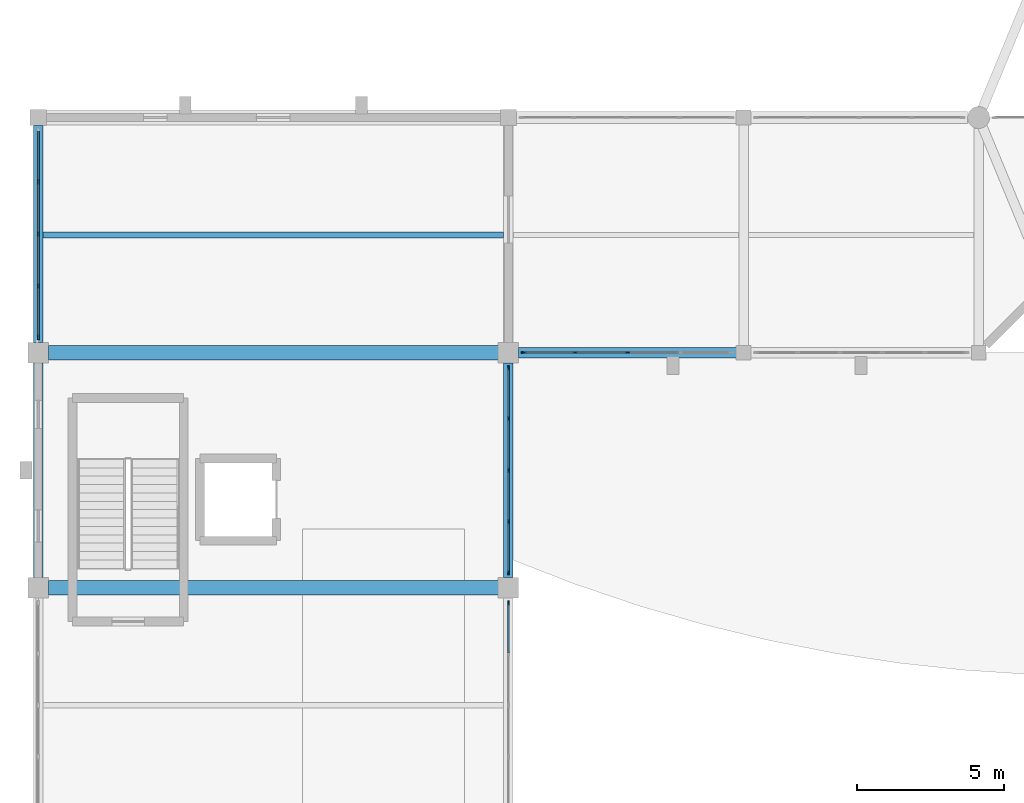
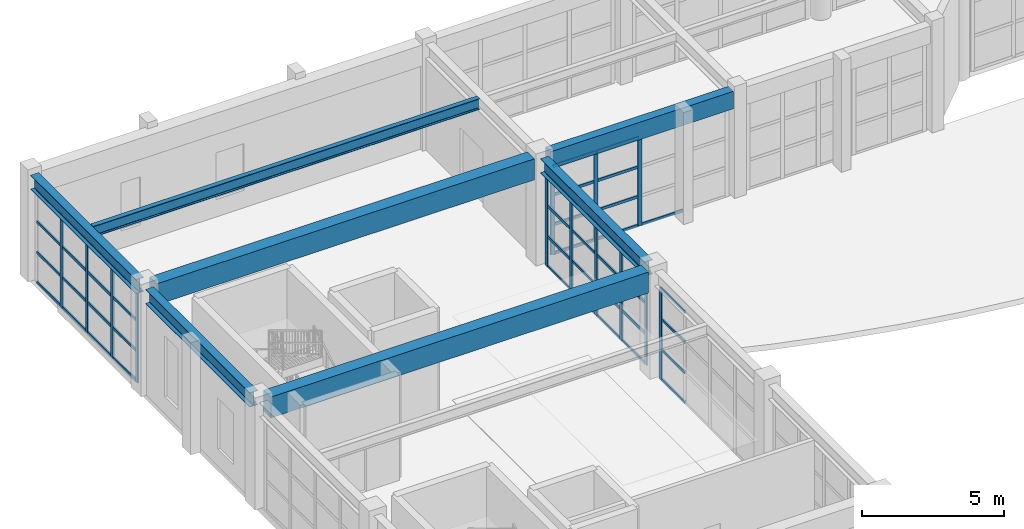
# One storey, part 5 of 59: 58 members, 7 beams, 4 elements without a shape of their own.
"""IFC4 building model written with IfcOpenShell, lengths in metres."""

from ifc_helpers import new_model, si_unit, direction, frame, origin, origin_2d, place, context, subcontext, project, spatial, rectangle, i_section, extrude, material, material_profile, profile_set, type_object, element, aggregate, save


model = new_model("IFC4")

# Units and contexts
model_context = context("Model", 3, precision=1e-05, world=origin(), true_north=direction((0.0, 1.0)))
body_context = subcontext(model_context, "Body", "Model", "MODEL_VIEW")
ifc_project = project(units=[si_unit("LENGTHUNIT", "METRE"), si_unit("AREAUNIT", "SQUARE_METRE"), si_unit("VOLUMEUNIT", "CUBIC_METRE"), si_unit("PLANEANGLEUNIT", "RADIAN"), si_unit("MASSUNIT", "GRAM", prefix="KILO")], contexts=[model_context])

# Site, building, storey
site_placement = place(None, origin())
site = spatial("IfcSite", under=ifc_project, at=site_placement, CompositionType="ELEMENT")
building_placement = place(site_placement, origin())
building = spatial("IfcBuilding", under=site, at=building_placement, Name="Serraluz Foothill Cableway Terminal", CompositionType="ELEMENT")
storey_placement = place(building_placement, frame((0.0, 0.0, 4.800048828125)))
storey = spatial("IfcBuildingStorey", under=building, at=storey_placement, Name="L01", CompositionType="ELEMENT", Elevation=4.800048828125)

# Beams
ifc_material_1 = material(Name="Concrete C35/45 (f'c 35 MPa)", Category="concrete")
ifc_material_profile_1 = material_profile(ifc_material_1, rectangle(XDim=0.5, YDim=0.89990234375, at=origin_2d()), Name="RC 500x900")
ifc_profile_set_1 = profile_set([ifc_material_profile_1], Name="Concrete C35/45 (f'c 35 MPa)")
beam_type_1 = type_object("IfcBeamType", Name="TYP-BM-RC500X900", PredefinedType="BEAM", material=ifc_profile_set_1)
for number, where, z_axis, x_axis, name in (
    (1, (0.345947265625, 48.0, 4.08984375), (1.0, 0.0, 0.0), (0.0, 1.0, 0.0), "Primary Girder BM-X-L01-0196"),
    (2, (0.345947265625, 56.0, 4.08984375), (1.0, 0.0, 0.0), (0.0, 1.0, 0.0), "Primary Girder BM-X-L01-0198"),
):
    element("IfcBeam", number, at=place(storey_placement, frame(where, z_axis=z_axis, x_axis=x_axis)), inside=storey, type_object=beam_type_1, Name=name, PredefinedType="BEAM", context=body_context, shape_type="SweptSolid", body=[
        extrude(rectangle(XDim=0.5, YDim=0.89990234375, at=origin_2d()), origin(), (0.0, 0.0, 1.0), 15.30810546875),
    ])
ifc_material_2 = material(Name="Steel ASTM A992 Grade 50", Category="steel")
ifc_material_profile_2 = material_profile(ifc_material_2, i_section(OverallWidth=0.324951171875, OverallDepth=0.615966796875, WebThickness=0.013916015625, FlangeThickness=0.021484375, FilletRadius=0.01806640625, at=origin_2d()), Name="W24X117")
ifc_profile_set_2 = profile_set([ifc_material_profile_2], Name="Steel ASTM A992 Grade 50")
beam_type_2 = type_object("IfcBeamType", Name="TYP-BM-W24X117", PredefinedType="BEAM", material=ifc_profile_set_2)
beam_1_placement = place(storey_placement, frame((0.0, 48.345947265625, 4.23193359375), z_axis=(0.0, 1.0, 0.0), x_axis=(-1.0, 0.0, 0.0)))
element("IfcBeam", 3, at=beam_1_placement, inside=storey, type_object=beam_type_2, Name="Transverse Girder BM-Y-L01-0245", PredefinedType="BEAM", context=body_context, shape_type="SweptSolid", body=[
    extrude(i_section(OverallWidth=0.324951171875, OverallDepth=0.615966796875, WebThickness=0.013916015625, FlangeThickness=0.021484375, FilletRadius=0.01806640625, at=origin_2d()), origin(), (0.0, 0.0, 1.0), 7.30810546875),
])
beam_2_placement = place(storey_placement, frame((0.0, 56.345947265625, 4.23193359375), z_axis=(0.0, 1.0, 0.0), x_axis=(-1.0, 0.0, 0.0)))
element("IfcBeam", 4, at=beam_2_placement, inside=storey, type_object=beam_type_2, Name="Transverse Girder BM-Y-L01-0246", PredefinedType="BEAM", context=body_context, shape_type="SweptSolid", body=[
    extrude(i_section(OverallWidth=0.324951171875, OverallDepth=0.615966796875, WebThickness=0.013916015625, FlangeThickness=0.021484375, FilletRadius=0.01806640625, at=origin_2d()), origin(), (0.0, 0.0, 1.0), 7.383056640625),
])
beam_3_placement = place(storey_placement, frame((16.0, 48.345947265625, 4.23193359375), z_axis=(0.0, 1.0, 0.0), x_axis=(-1.0, 0.0, 0.0)))
element("IfcBeam", 5, at=beam_3_placement, inside=storey, type_object=beam_type_2, Name="Transverse Girder BM-Y-L01-0251", PredefinedType="BEAM", context=body_context, shape_type="SweptSolid", body=[
    extrude(i_section(OverallWidth=0.324951171875, OverallDepth=0.615966796875, WebThickness=0.013916015625, FlangeThickness=0.021484375, FilletRadius=0.01806640625, at=origin_2d()), origin(), (0.0, 0.0, 1.0), 7.30810546875),
])

# Curtain wall, member
ifc_material_3 = material(Name="Architectural bronze alloy C28000", Category="aluminium")
curtain_wall_type_1 = type_object("IfcCurtainWallType", Name="TYP-CW-480X380", PredefinedType="NOTDEFINED", material=ifc_material_3)
curtain_wall_1_placement = place(storey_placement, origin())
curtain_wall_1 = element("IfcCurtainWall", 6, at=curtain_wall_1_placement, inside=storey, type_object=curtain_wall_type_1, Name="Ribbed Glazed Curtain Wall CW-V5E-L01-40", PredefinedType="NOTDEFINED")
ifc_material_profile_3 = material_profile(ifc_material_3, rectangle(XDim=0.06005859375, YDim=0.159912109375, at=origin_2d()), Name="ALU MULLION 60x160")
ifc_profile_set_3 = profile_set([ifc_material_profile_3], Name="Architectural bronze alloy C28000")
member_type_1 = type_object("IfcMemberType", Name="TYP-CW-MUL-60X160", PredefinedType="MULLION", material=ifc_profile_set_3)
member_1_placement = place(storey_placement, frame((16.0, 47.47998046875, 0.0), z_axis=(0.0, 0.0, 1.0), x_axis=(1.0, 0.0, 0.0)))
member_1 = element("IfcMember", 7, at=member_1_placement, type_object=member_type_1, Name="CW-14 mullion 1", PredefinedType="MULLION", context=body_context, shape_type="SweptSolid", body=[
    extrude(rectangle(XDim=0.06005859375, YDim=0.159912109375, at=origin_2d()), origin(), (0.0, 0.0, 1.0), 3.924072265625),
])

# Curtain wall, members
curtain_wall_type_2 = type_object("IfcCurtainWallType", Name="TYP-CW-480X420", PredefinedType="NOTDEFINED", material=ifc_material_3)
curtain_wall_2_placement = place(storey_placement, origin())
curtain_wall_2 = element("IfcCurtainWall", 8, at=curtain_wall_2_placement, inside=storey, type_object=curtain_wall_type_2, Name="Ribbed Glazed Curtain Wall CW-V5E-L01-48", PredefinedType="NOTDEFINED")
member_2_placement = place(storey_placement, frame((16.0, 55.47998046875, 0.0), z_axis=(0.0, 0.0, 1.0), x_axis=(1.0, 0.0, 0.0)))
member_2 = element("IfcMember", 9, at=member_2_placement, type_object=member_type_1, Name="CW-15 mullion 1", PredefinedType="MULLION", context=body_context, shape_type="SweptSolid", body=[
    extrude(rectangle(XDim=0.06005859375, YDim=0.159912109375, at=origin_2d()), origin(), (0.0, 0.0, 1.0), 3.924072265625),
])
member_3_placement = place(storey_placement, frame((16.0, 53.7548828125, 0.0), z_axis=(0.0, 0.0, 1.0), x_axis=(1.0, 0.0, 0.0)))
member_3 = element("IfcMember", 10, at=member_3_placement, type_object=member_type_1, Name="CW-15 mullion 2", PredefinedType="MULLION", context=body_context, shape_type="SweptSolid", body=[
    extrude(rectangle(XDim=0.06005859375, YDim=0.159912109375, at=origin_2d()), origin(), (0.0, 0.0, 1.0), 3.924072265625),
])
member_4_placement = place(storey_placement, frame((16.0, 52.0, 0.0), z_axis=(0.0, 0.0, 1.0), x_axis=(1.0, 0.0, 0.0)))
member_4 = element("IfcMember", 11, at=member_4_placement, type_object=member_type_1, Name="CW-15 mullion 3", PredefinedType="MULLION", context=body_context, shape_type="SweptSolid", body=[
    extrude(rectangle(XDim=0.06005859375, YDim=0.159912109375, at=origin_2d()), origin(), (0.0, 0.0, 1.0), 3.924072265625),
])
member_5_placement = place(storey_placement, frame((16.0, 50.2451171875, 0.0), z_axis=(0.0, 0.0, 1.0), x_axis=(1.0, 0.0, 0.0)))
member_5 = element("IfcMember", 12, at=member_5_placement, type_object=member_type_1, Name="CW-15 mullion 4", PredefinedType="MULLION", context=body_context, shape_type="SweptSolid", body=[
    extrude(rectangle(XDim=0.06005859375, YDim=0.159912109375, at=origin_2d()), origin(), (0.0, 0.0, 1.0), 3.924072265625),
])
member_6_placement = place(storey_placement, frame((16.0, 48.52001953125, 0.0), z_axis=(0.0, 0.0, 1.0), x_axis=(1.0, 0.0, 0.0)))
member_6 = element("IfcMember", 13, at=member_6_placement, type_object=member_type_1, Name="CW-15 mullion 5", PredefinedType="MULLION", context=body_context, shape_type="SweptSolid", body=[
    extrude(rectangle(XDim=0.06005859375, YDim=0.159912109375, at=origin_2d()), origin(), (0.0, 0.0, 1.0), 3.924072265625),
])

curtain_wall_type_3 = type_object("IfcCurtainWallType", Name="TYP-CW-540X420", PredefinedType="NOTDEFINED", material=ifc_material_3)
curtain_wall_3_placement = place(storey_placement, origin())
curtain_wall_3 = element("IfcCurtainWall", 14, at=curtain_wall_3_placement, inside=storey, type_object=curtain_wall_type_3, Name="Ribbed Glazed Curtain Wall CW-V5W-L01-56", PredefinedType="NOTDEFINED")
member_7_placement = place(storey_placement, frame((0.0, 56.52001953125, 0.0), z_axis=(0.0, 0.0, 1.0), x_axis=(-1.0, 0.0, 0.0)))
member_7 = element("IfcMember", 15, at=member_7_placement, type_object=member_type_1, Name="CW-10 mullion 1", PredefinedType="MULLION", context=body_context, shape_type="SweptSolid", body=[
    extrude(rectangle(XDim=0.06005859375, YDim=0.159912109375, at=origin_2d()), origin(), (0.0, 0.0, 1.0), 3.924072265625),
])
member_8_placement = place(storey_placement, frame((0.0, 58.263671875, 0.0), z_axis=(0.0, 0.0, 1.0), x_axis=(-1.0, 0.0, 0.0)))
member_8 = element("IfcMember", 16, at=member_8_placement, type_object=member_type_1, Name="CW-10 mullion 2", PredefinedType="MULLION", context=body_context, shape_type="SweptSolid", body=[
    extrude(rectangle(XDim=0.06005859375, YDim=0.159912109375, at=origin_2d()), origin(), (0.0, 0.0, 1.0), 3.924072265625),
])
member_9_placement = place(storey_placement, frame((0.0, 60.03759765625, 0.0), z_axis=(0.0, 0.0, 1.0), x_axis=(-1.0, 0.0, 0.0)))
member_9 = element("IfcMember", 17, at=member_9_placement, type_object=member_type_1, Name="CW-10 mullion 3", PredefinedType="MULLION", context=body_context, shape_type="SweptSolid", body=[
    extrude(rectangle(XDim=0.06005859375, YDim=0.159912109375, at=origin_2d()), origin(), (0.0, 0.0, 1.0), 3.924072265625),
])
member_10_placement = place(storey_placement, frame((0.0, 61.811279296875, 0.0), z_axis=(0.0, 0.0, 1.0), x_axis=(-1.0, 0.0, 0.0)))
member_10 = element("IfcMember", 18, at=member_10_placement, type_object=member_type_1, Name="CW-10 mullion 4", PredefinedType="MULLION", context=body_context, shape_type="SweptSolid", body=[
    extrude(rectangle(XDim=0.06005859375, YDim=0.159912109375, at=origin_2d()), origin(), (0.0, 0.0, 1.0), 3.924072265625),
])

curtain_wall_type_4 = type_object("IfcCurtainWallType", Name="TYP-CW-710X420", PredefinedType="NOTDEFINED", material=ifc_material_3)
curtain_wall_4_placement = place(storey_placement, origin())
curtain_wall_4 = element("IfcCurtainWall", 19, at=curtain_wall_4_placement, inside=storey, type_object=curtain_wall_type_4, Name="Ribbed Glazed Curtain Wall CW-WLS-L01-16", PredefinedType="NOTDEFINED")
member_11_placement = place(storey_placement, frame((20.050048828125, 56.0, 0.0), z_axis=(0.0, 0.0, 1.0), x_axis=(0.0, -1.0, 0.0)))
member_11 = element("IfcMember", 20, at=member_11_placement, type_object=member_type_1, Name="CW-01 mullion 3", PredefinedType="MULLION", context=body_context, shape_type="SweptSolid", body=[
    extrude(rectangle(XDim=0.06005859375, YDim=0.159912109375, at=origin_2d()), origin(), (0.0, 0.0, 1.0), 3.800048828125),
])
member_12_placement = place(storey_placement, frame((18.27001953125, 56.0, 0.0), z_axis=(0.0, 0.0, 1.0), x_axis=(0.0, -1.0, 0.0)))
member_12 = element("IfcMember", 21, at=member_12_placement, type_object=member_type_1, Name="CW-01 mullion 4", PredefinedType="MULLION", context=body_context, shape_type="SweptSolid", body=[
    extrude(rectangle(XDim=0.06005859375, YDim=0.159912109375, at=origin_2d()), origin(), (0.0, 0.0, 1.0), 3.800048828125),
])
member_13_placement = place(storey_placement, frame((16.52001953125, 56.0, 0.0), z_axis=(0.0, 0.0, 1.0), x_axis=(0.0, -1.0, 0.0)))
member_13 = element("IfcMember", 22, at=member_13_placement, type_object=member_type_1, Name="CW-01 mullion 5", PredefinedType="MULLION", context=body_context, shape_type="SweptSolid", body=[
    extrude(rectangle(XDim=0.06005859375, YDim=0.159912109375, at=origin_2d()), origin(), (0.0, 0.0, 1.0), 3.800048828125),
])

# Member
ifc_material_profile_4 = material_profile(ifc_material_3, rectangle(XDim=0.06005859375, YDim=0.1201171875, at=origin_2d()), Name="ALU TRANSOM 60x120")
ifc_profile_set_4 = profile_set([ifc_material_profile_4], Name="Architectural bronze alloy C28000")
member_type_2 = type_object("IfcMemberType", Name="TYP-CW-TRN-60X120", PredefinedType="USERDEFINED", material=ifc_profile_set_4)
member_14_placement = place(storey_placement, frame((16.0, 47.449951171875, 0.030029296875), z_axis=(0.0, -1.0, 0.0), x_axis=(1.0, 0.0, 0.0)))
member_14 = element("IfcMember", 23, at=member_14_placement, type_object=member_type_2, Name="CW-14 transom 1.1", ObjectType="TRANSOM", PredefinedType="USERDEFINED", context=body_context, shape_type="SweptSolid", body=[
    extrude(rectangle(XDim=0.06005859375, YDim=0.1201171875, at=origin_2d()), origin(), (0.0, 0.0, 1.0), 1.6650390625),
])

member_15_placement = place(storey_placement, frame((16.0, 47.449951171875, 1.307861328125), z_axis=(0.0, -1.0, 0.0), x_axis=(1.0, 0.0, 0.0)))
member_15 = element("IfcMember", 24, at=member_15_placement, type_object=member_type_2, Name="CW-14 transom 1.2", ObjectType="TRANSOM", PredefinedType="USERDEFINED", context=body_context, shape_type="SweptSolid", body=[
    extrude(rectangle(XDim=0.06005859375, YDim=0.1201171875, at=origin_2d()), origin(), (0.0, 0.0, 1.0), 1.6650390625),
])

member_16_placement = place(storey_placement, frame((16.0, 47.449951171875, 2.615966796875), z_axis=(0.0, -1.0, 0.0), x_axis=(1.0, 0.0, 0.0)))
member_16 = element("IfcMember", 25, at=member_16_placement, type_object=member_type_2, Name="CW-14 transom 1.3", ObjectType="TRANSOM", PredefinedType="USERDEFINED", context=body_context, shape_type="SweptSolid", body=[
    extrude(rectangle(XDim=0.06005859375, YDim=0.1201171875, at=origin_2d()), origin(), (0.0, 0.0, 1.0), 1.6650390625),
])

member_17_placement = place(storey_placement, frame((16.0, 47.449951171875, 3.89404296875), z_axis=(0.0, -1.0, 0.0), x_axis=(1.0, 0.0, 0.0)))
member_17 = element("IfcMember", 26, at=member_17_placement, type_object=member_type_2, Name="CW-14 transom 1.4", ObjectType="TRANSOM", PredefinedType="USERDEFINED", context=body_context, shape_type="SweptSolid", body=[
    extrude(rectangle(XDim=0.06005859375, YDim=0.1201171875, at=origin_2d()), origin(), (0.0, 0.0, 1.0), 1.6650390625),
])

aggregate(curtain_wall_1, [member_1, member_14, member_15, member_16, member_17])

member_18_placement = place(storey_placement, frame((16.0, 55.449951171875, 0.030029296875), z_axis=(0.0, -1.0, 0.0), x_axis=(1.0, 0.0, 0.0)))
member_18 = element("IfcMember", 27, at=member_18_placement, type_object=member_type_2, Name="CW-15 transom 1.1", ObjectType="TRANSOM", PredefinedType="USERDEFINED", context=body_context, shape_type="SweptSolid", body=[
    extrude(rectangle(XDim=0.06005859375, YDim=0.1201171875, at=origin_2d()), origin(), (0.0, 0.0, 1.0), 1.6650390625),
])

member_19_placement = place(storey_placement, frame((16.0, 55.449951171875, 1.307861328125), z_axis=(0.0, -1.0, 0.0), x_axis=(1.0, 0.0, 0.0)))
member_19 = element("IfcMember", 28, at=member_19_placement, type_object=member_type_2, Name="CW-15 transom 1.2", ObjectType="TRANSOM", PredefinedType="USERDEFINED", context=body_context, shape_type="SweptSolid", body=[
    extrude(rectangle(XDim=0.06005859375, YDim=0.1201171875, at=origin_2d()), origin(), (0.0, 0.0, 1.0), 1.6650390625),
])

member_20_placement = place(storey_placement, frame((16.0, 55.449951171875, 2.615966796875), z_axis=(0.0, -1.0, 0.0), x_axis=(1.0, 0.0, 0.0)))
member_20 = element("IfcMember", 29, at=member_20_placement, type_object=member_type_2, Name="CW-15 transom 1.3", ObjectType="TRANSOM", PredefinedType="USERDEFINED", context=body_context, shape_type="SweptSolid", body=[
    extrude(rectangle(XDim=0.06005859375, YDim=0.1201171875, at=origin_2d()), origin(), (0.0, 0.0, 1.0), 1.6650390625),
])

member_21_placement = place(storey_placement, frame((16.0, 55.449951171875, 3.89404296875), z_axis=(0.0, -1.0, 0.0), x_axis=(1.0, 0.0, 0.0)))
member_21 = element("IfcMember", 30, at=member_21_placement, type_object=member_type_2, Name="CW-15 transom 1.4", ObjectType="TRANSOM", PredefinedType="USERDEFINED", context=body_context, shape_type="SweptSolid", body=[
    extrude(rectangle(XDim=0.06005859375, YDim=0.1201171875, at=origin_2d()), origin(), (0.0, 0.0, 1.0), 1.6650390625),
])

member_22_placement = place(storey_placement, frame((16.0, 53.72509765625, 0.030029296875), z_axis=(0.0, -1.0, 0.0), x_axis=(1.0, 0.0, 0.0)))
member_22 = element("IfcMember", 31, at=member_22_placement, type_object=member_type_2, Name="CW-15 transom 2.1", ObjectType="TRANSOM", PredefinedType="USERDEFINED", context=body_context, shape_type="SweptSolid", body=[
    extrude(rectangle(XDim=0.06005859375, YDim=0.1201171875, at=origin_2d()), origin(), (0.0, 0.0, 1.0), 1.695068359375),
])

member_23_placement = place(storey_placement, frame((16.0, 53.72509765625, 1.307861328125), z_axis=(0.0, -1.0, 0.0), x_axis=(1.0, 0.0, 0.0)))
member_23 = element("IfcMember", 32, at=member_23_placement, type_object=member_type_2, Name="CW-15 transom 2.2", ObjectType="TRANSOM", PredefinedType="USERDEFINED", context=body_context, shape_type="SweptSolid", body=[
    extrude(rectangle(XDim=0.06005859375, YDim=0.1201171875, at=origin_2d()), origin(), (0.0, 0.0, 1.0), 1.695068359375),
])

member_24_placement = place(storey_placement, frame((16.0, 53.72509765625, 2.615966796875), z_axis=(0.0, -1.0, 0.0), x_axis=(1.0, 0.0, 0.0)))
member_24 = element("IfcMember", 33, at=member_24_placement, type_object=member_type_2, Name="CW-15 transom 2.3", ObjectType="TRANSOM", PredefinedType="USERDEFINED", context=body_context, shape_type="SweptSolid", body=[
    extrude(rectangle(XDim=0.06005859375, YDim=0.1201171875, at=origin_2d()), origin(), (0.0, 0.0, 1.0), 1.695068359375),
])

member_25_placement = place(storey_placement, frame((16.0, 53.72509765625, 3.89404296875), z_axis=(0.0, -1.0, 0.0), x_axis=(1.0, 0.0, 0.0)))
member_25 = element("IfcMember", 34, at=member_25_placement, type_object=member_type_2, Name="CW-15 transom 2.4", ObjectType="TRANSOM", PredefinedType="USERDEFINED", context=body_context, shape_type="SweptSolid", body=[
    extrude(rectangle(XDim=0.06005859375, YDim=0.1201171875, at=origin_2d()), origin(), (0.0, 0.0, 1.0), 1.695068359375),
])

member_26_placement = place(storey_placement, frame((16.0, 51.969970703125, 0.030029296875), z_axis=(0.0, -1.0, 0.0), x_axis=(1.0, 0.0, 0.0)))
member_26 = element("IfcMember", 35, at=member_26_placement, type_object=member_type_2, Name="CW-15 transom 3.1", ObjectType="TRANSOM", PredefinedType="USERDEFINED", context=body_context, shape_type="SweptSolid", body=[
    extrude(rectangle(XDim=0.06005859375, YDim=0.1201171875, at=origin_2d()), origin(), (0.0, 0.0, 1.0), 1.695068359375),
])

member_27_placement = place(storey_placement, frame((16.0, 51.969970703125, 1.307861328125), z_axis=(0.0, -1.0, 0.0), x_axis=(1.0, 0.0, 0.0)))
member_27 = element("IfcMember", 36, at=member_27_placement, type_object=member_type_2, Name="CW-15 transom 3.2", ObjectType="TRANSOM", PredefinedType="USERDEFINED", context=body_context, shape_type="SweptSolid", body=[
    extrude(rectangle(XDim=0.06005859375, YDim=0.1201171875, at=origin_2d()), origin(), (0.0, 0.0, 1.0), 1.695068359375),
])

member_28_placement = place(storey_placement, frame((16.0, 51.969970703125, 2.615966796875), z_axis=(0.0, -1.0, 0.0), x_axis=(1.0, 0.0, 0.0)))
member_28 = element("IfcMember", 37, at=member_28_placement, type_object=member_type_2, Name="CW-15 transom 3.3", ObjectType="TRANSOM", PredefinedType="USERDEFINED", context=body_context, shape_type="SweptSolid", body=[
    extrude(rectangle(XDim=0.06005859375, YDim=0.1201171875, at=origin_2d()), origin(), (0.0, 0.0, 1.0), 1.695068359375),
])

member_29_placement = place(storey_placement, frame((16.0, 51.969970703125, 3.89404296875), z_axis=(0.0, -1.0, 0.0), x_axis=(1.0, 0.0, 0.0)))
member_29 = element("IfcMember", 38, at=member_29_placement, type_object=member_type_2, Name="CW-15 transom 3.4", ObjectType="TRANSOM", PredefinedType="USERDEFINED", context=body_context, shape_type="SweptSolid", body=[
    extrude(rectangle(XDim=0.06005859375, YDim=0.1201171875, at=origin_2d()), origin(), (0.0, 0.0, 1.0), 1.695068359375),
])

member_30_placement = place(storey_placement, frame((16.0, 50.215087890625, 0.030029296875), z_axis=(0.0, -1.0, 0.0), x_axis=(1.0, 0.0, 0.0)))
member_30 = element("IfcMember", 39, at=member_30_placement, type_object=member_type_2, Name="CW-15 transom 4.1", ObjectType="TRANSOM", PredefinedType="USERDEFINED", context=body_context, shape_type="SweptSolid", body=[
    extrude(rectangle(XDim=0.06005859375, YDim=0.1201171875, at=origin_2d()), origin(), (0.0, 0.0, 1.0), 1.6650390625),
])

member_31_placement = place(storey_placement, frame((16.0, 50.215087890625, 1.307861328125), z_axis=(0.0, -1.0, 0.0), x_axis=(1.0, 0.0, 0.0)))
member_31 = element("IfcMember", 40, at=member_31_placement, type_object=member_type_2, Name="CW-15 transom 4.2", ObjectType="TRANSOM", PredefinedType="USERDEFINED", context=body_context, shape_type="SweptSolid", body=[
    extrude(rectangle(XDim=0.06005859375, YDim=0.1201171875, at=origin_2d()), origin(), (0.0, 0.0, 1.0), 1.6650390625),
])

member_32_placement = place(storey_placement, frame((16.0, 50.215087890625, 2.615966796875), z_axis=(0.0, -1.0, 0.0), x_axis=(1.0, 0.0, 0.0)))
member_32 = element("IfcMember", 41, at=member_32_placement, type_object=member_type_2, Name="CW-15 transom 4.3", ObjectType="TRANSOM", PredefinedType="USERDEFINED", context=body_context, shape_type="SweptSolid", body=[
    extrude(rectangle(XDim=0.06005859375, YDim=0.1201171875, at=origin_2d()), origin(), (0.0, 0.0, 1.0), 1.6650390625),
])

member_33_placement = place(storey_placement, frame((16.0, 50.215087890625, 3.89404296875), z_axis=(0.0, -1.0, 0.0), x_axis=(1.0, 0.0, 0.0)))
member_33 = element("IfcMember", 42, at=member_33_placement, type_object=member_type_2, Name="CW-15 transom 4.4", ObjectType="TRANSOM", PredefinedType="USERDEFINED", context=body_context, shape_type="SweptSolid", body=[
    extrude(rectangle(XDim=0.06005859375, YDim=0.1201171875, at=origin_2d()), origin(), (0.0, 0.0, 1.0), 1.6650390625),
])

aggregate(curtain_wall_2, [member_2, member_3, member_4, member_5, member_6, member_18, member_19, member_20, member_21, member_22, member_23, member_24, member_25, member_26, member_27, member_28, member_29, member_30, member_31, member_32, member_33])

member_34_placement = place(storey_placement, frame((0.0, 56.550048828125, 0.030029296875), z_axis=(0.0, 1.0, 0.0), x_axis=(-1.0, 0.0, 0.0)))
member_34 = element("IfcMember", 43, at=member_34_placement, type_object=member_type_2, Name="CW-10 transom 1.1", ObjectType="TRANSOM", PredefinedType="USERDEFINED", context=body_context, shape_type="SweptSolid", body=[
    extrude(rectangle(XDim=0.06005859375, YDim=0.1201171875, at=origin_2d()), origin(), (0.0, 0.0, 1.0), 1.68359375),
])

member_35_placement = place(storey_placement, frame((0.0, 56.550048828125, 1.307861328125), z_axis=(0.0, 1.0, 0.0), x_axis=(-1.0, 0.0, 0.0)))
member_35 = element("IfcMember", 44, at=member_35_placement, type_object=member_type_2, Name="CW-10 transom 1.2", ObjectType="TRANSOM", PredefinedType="USERDEFINED", context=body_context, shape_type="SweptSolid", body=[
    extrude(rectangle(XDim=0.06005859375, YDim=0.1201171875, at=origin_2d()), origin(), (0.0, 0.0, 1.0), 1.68359375),
])

member_36_placement = place(storey_placement, frame((0.0, 56.550048828125, 2.615966796875), z_axis=(0.0, 1.0, 0.0), x_axis=(-1.0, 0.0, 0.0)))
member_36 = element("IfcMember", 45, at=member_36_placement, type_object=member_type_2, Name="CW-10 transom 1.3", ObjectType="TRANSOM", PredefinedType="USERDEFINED", context=body_context, shape_type="SweptSolid", body=[
    extrude(rectangle(XDim=0.06005859375, YDim=0.1201171875, at=origin_2d()), origin(), (0.0, 0.0, 1.0), 1.68359375),
])

member_37_placement = place(storey_placement, frame((0.0, 56.550048828125, 3.89404296875), z_axis=(0.0, 1.0, 0.0), x_axis=(-1.0, 0.0, 0.0)))
member_37 = element("IfcMember", 46, at=member_37_placement, type_object=member_type_2, Name="CW-10 transom 1.4", ObjectType="TRANSOM", PredefinedType="USERDEFINED", context=body_context, shape_type="SweptSolid", body=[
    extrude(rectangle(XDim=0.06005859375, YDim=0.1201171875, at=origin_2d()), origin(), (0.0, 0.0, 1.0), 1.68359375),
])

member_38_placement = place(storey_placement, frame((0.0, 58.293701171875, 0.030029296875), z_axis=(0.0, 1.0, 0.0), x_axis=(-1.0, 0.0, 0.0)))
member_38 = element("IfcMember", 47, at=member_38_placement, type_object=member_type_2, Name="CW-10 transom 2.1", ObjectType="TRANSOM", PredefinedType="USERDEFINED", context=body_context, shape_type="SweptSolid", body=[
    extrude(rectangle(XDim=0.06005859375, YDim=0.1201171875, at=origin_2d()), origin(), (0.0, 0.0, 1.0), 1.7138671875),
])

member_39_placement = place(storey_placement, frame((0.0, 58.293701171875, 1.307861328125), z_axis=(0.0, 1.0, 0.0), x_axis=(-1.0, 0.0, 0.0)))
member_39 = element("IfcMember", 48, at=member_39_placement, type_object=member_type_2, Name="CW-10 transom 2.2", ObjectType="TRANSOM", PredefinedType="USERDEFINED", context=body_context, shape_type="SweptSolid", body=[
    extrude(rectangle(XDim=0.06005859375, YDim=0.1201171875, at=origin_2d()), origin(), (0.0, 0.0, 1.0), 1.7138671875),
])

member_40_placement = place(storey_placement, frame((0.0, 58.293701171875, 2.615966796875), z_axis=(0.0, 1.0, 0.0), x_axis=(-1.0, 0.0, 0.0)))
member_40 = element("IfcMember", 49, at=member_40_placement, type_object=member_type_2, Name="CW-10 transom 2.3", ObjectType="TRANSOM", PredefinedType="USERDEFINED", context=body_context, shape_type="SweptSolid", body=[
    extrude(rectangle(XDim=0.06005859375, YDim=0.1201171875, at=origin_2d()), origin(), (0.0, 0.0, 1.0), 1.7138671875),
])

member_41_placement = place(storey_placement, frame((0.0, 58.293701171875, 3.89404296875), z_axis=(0.0, 1.0, 0.0), x_axis=(-1.0, 0.0, 0.0)))
member_41 = element("IfcMember", 50, at=member_41_placement, type_object=member_type_2, Name="CW-10 transom 2.4", ObjectType="TRANSOM", PredefinedType="USERDEFINED", context=body_context, shape_type="SweptSolid", body=[
    extrude(rectangle(XDim=0.06005859375, YDim=0.1201171875, at=origin_2d()), origin(), (0.0, 0.0, 1.0), 1.7138671875),
])

member_42_placement = place(storey_placement, frame((0.0, 60.0673828125, 0.030029296875), z_axis=(0.0, 1.0, 0.0), x_axis=(-1.0, 0.0, 0.0)))
member_42 = element("IfcMember", 51, at=member_42_placement, type_object=member_type_2, Name="CW-10 transom 3.1", ObjectType="TRANSOM", PredefinedType="USERDEFINED", context=body_context, shape_type="SweptSolid", body=[
    extrude(rectangle(XDim=0.06005859375, YDim=0.1201171875, at=origin_2d()), origin(), (0.0, 0.0, 1.0), 1.7138671875),
])

member_43_placement = place(storey_placement, frame((0.0, 60.0673828125, 1.307861328125), z_axis=(0.0, 1.0, 0.0), x_axis=(-1.0, 0.0, 0.0)))
member_43 = element("IfcMember", 52, at=member_43_placement, type_object=member_type_2, Name="CW-10 transom 3.2", ObjectType="TRANSOM", PredefinedType="USERDEFINED", context=body_context, shape_type="SweptSolid", body=[
    extrude(rectangle(XDim=0.06005859375, YDim=0.1201171875, at=origin_2d()), origin(), (0.0, 0.0, 1.0), 1.7138671875),
])

member_44_placement = place(storey_placement, frame((0.0, 60.0673828125, 2.615966796875), z_axis=(0.0, 1.0, 0.0), x_axis=(-1.0, 0.0, 0.0)))
member_44 = element("IfcMember", 53, at=member_44_placement, type_object=member_type_2, Name="CW-10 transom 3.3", ObjectType="TRANSOM", PredefinedType="USERDEFINED", context=body_context, shape_type="SweptSolid", body=[
    extrude(rectangle(XDim=0.06005859375, YDim=0.1201171875, at=origin_2d()), origin(), (0.0, 0.0, 1.0), 1.7138671875),
])

member_45_placement = place(storey_placement, frame((0.0, 60.0673828125, 3.89404296875), z_axis=(0.0, 1.0, 0.0), x_axis=(-1.0, 0.0, 0.0)))
member_45 = element("IfcMember", 54, at=member_45_placement, type_object=member_type_2, Name="CW-10 transom 3.4", ObjectType="TRANSOM", PredefinedType="USERDEFINED", context=body_context, shape_type="SweptSolid", body=[
    extrude(rectangle(XDim=0.06005859375, YDim=0.1201171875, at=origin_2d()), origin(), (0.0, 0.0, 1.0), 1.7138671875),
])

member_46_placement = place(storey_placement, frame((0.0, 61.84130859375, 0.030029296875), z_axis=(0.0, 1.0, 0.0), x_axis=(-1.0, 0.0, 0.0)))
member_46 = element("IfcMember", 55, at=member_46_placement, type_object=member_type_2, Name="CW-10 transom 4.1", ObjectType="TRANSOM", PredefinedType="USERDEFINED", context=body_context, shape_type="SweptSolid", body=[
    extrude(rectangle(XDim=0.06005859375, YDim=0.1201171875, at=origin_2d()), origin(), (0.0, 0.0, 1.0), 1.68359375),
])

member_47_placement = place(storey_placement, frame((0.0, 61.84130859375, 1.307861328125), z_axis=(0.0, 1.0, 0.0), x_axis=(-1.0, 0.0, 0.0)))
member_47 = element("IfcMember", 56, at=member_47_placement, type_object=member_type_2, Name="CW-10 transom 4.2", ObjectType="TRANSOM", PredefinedType="USERDEFINED", context=body_context, shape_type="SweptSolid", body=[
    extrude(rectangle(XDim=0.06005859375, YDim=0.1201171875, at=origin_2d()), origin(), (0.0, 0.0, 1.0), 1.68359375),
])

member_48_placement = place(storey_placement, frame((0.0, 61.84130859375, 2.615966796875), z_axis=(0.0, 1.0, 0.0), x_axis=(-1.0, 0.0, 0.0)))
member_48 = element("IfcMember", 57, at=member_48_placement, type_object=member_type_2, Name="CW-10 transom 4.3", ObjectType="TRANSOM", PredefinedType="USERDEFINED", context=body_context, shape_type="SweptSolid", body=[
    extrude(rectangle(XDim=0.06005859375, YDim=0.1201171875, at=origin_2d()), origin(), (0.0, 0.0, 1.0), 1.68359375),
])

member_49_placement = place(storey_placement, frame((0.0, 61.84130859375, 3.89404296875), z_axis=(0.0, 1.0, 0.0), x_axis=(-1.0, 0.0, 0.0)))
member_49 = element("IfcMember", 58, at=member_49_placement, type_object=member_type_2, Name="CW-10 transom 4.4", ObjectType="TRANSOM", PredefinedType="USERDEFINED", context=body_context, shape_type="SweptSolid", body=[
    extrude(rectangle(XDim=0.06005859375, YDim=0.1201171875, at=origin_2d()), origin(), (0.0, 0.0, 1.0), 1.68359375),
])

aggregate(curtain_wall_3, [member_7, member_8, member_9, member_10, member_34, member_35, member_36, member_37, member_38, member_39, member_40, member_41, member_42, member_43, member_44, member_45, member_46, member_47, member_48, member_49])

member_50_placement = place(storey_placement, frame((21.800048828125, 56.0, 0.030029296875), z_axis=(-1.0, 0.0, 0.0), x_axis=(0.0, -1.0, 0.0)))
member_50 = element("IfcMember", 59, at=member_50_placement, type_object=member_type_2, Name="CW-01 transom 2.1", ObjectType="TRANSOM", PredefinedType="USERDEFINED", context=body_context, shape_type="SweptSolid", body=[
    extrude(rectangle(XDim=0.06005859375, YDim=0.1201171875, at=origin_2d()), origin(), (0.0, 0.0, 1.0), 1.719970703125),
])

member_51_placement = place(storey_placement, frame((20.02001953125, 56.0, 0.030029296875), z_axis=(-1.0, 0.0, 0.0), x_axis=(0.0, -1.0, 0.0)))
member_51 = element("IfcMember", 60, at=member_51_placement, type_object=member_type_2, Name="CW-01 transom 3.1", ObjectType="TRANSOM", PredefinedType="USERDEFINED", context=body_context, shape_type="SweptSolid", body=[
    extrude(rectangle(XDim=0.06005859375, YDim=0.1201171875, at=origin_2d()), origin(), (0.0, 0.0, 1.0), 1.719970703125),
])

member_52_placement = place(storey_placement, frame((20.02001953125, 56.0, 1.2666015625), z_axis=(-1.0, 0.0, 0.0), x_axis=(0.0, -1.0, 0.0)))
member_52 = element("IfcMember", 61, at=member_52_placement, type_object=member_type_2, Name="CW-01 transom 3.2", ObjectType="TRANSOM", PredefinedType="USERDEFINED", context=body_context, shape_type="SweptSolid", body=[
    extrude(rectangle(XDim=0.06005859375, YDim=0.1201171875, at=origin_2d()), origin(), (0.0, 0.0, 1.0), 1.719970703125),
])

member_53_placement = place(storey_placement, frame((20.02001953125, 56.0, 2.533203125), z_axis=(-1.0, 0.0, 0.0), x_axis=(0.0, -1.0, 0.0)))
member_53 = element("IfcMember", 62, at=member_53_placement, type_object=member_type_2, Name="CW-01 transom 3.3", ObjectType="TRANSOM", PredefinedType="USERDEFINED", context=body_context, shape_type="SweptSolid", body=[
    extrude(rectangle(XDim=0.06005859375, YDim=0.1201171875, at=origin_2d()), origin(), (0.0, 0.0, 1.0), 1.719970703125),
])

member_54_placement = place(storey_placement, frame((20.02001953125, 56.0, 3.77001953125), z_axis=(-1.0, 0.0, 0.0), x_axis=(0.0, -1.0, 0.0)))
member_54 = element("IfcMember", 63, at=member_54_placement, type_object=member_type_2, Name="CW-01 transom 3.4", ObjectType="TRANSOM", PredefinedType="USERDEFINED", context=body_context, shape_type="SweptSolid", body=[
    extrude(rectangle(XDim=0.06005859375, YDim=0.1201171875, at=origin_2d()), origin(), (0.0, 0.0, 1.0), 1.719970703125),
])

member_55_placement = place(storey_placement, frame((18.239990234375, 56.0, 0.030029296875), z_axis=(-1.0, 0.0, 0.0), x_axis=(0.0, -1.0, 0.0)))
member_55 = element("IfcMember", 64, at=member_55_placement, type_object=member_type_2, Name="CW-01 transom 4.1", ObjectType="TRANSOM", PredefinedType="USERDEFINED", context=body_context, shape_type="SweptSolid", body=[
    extrude(rectangle(XDim=0.06005859375, YDim=0.1201171875, at=origin_2d()), origin(), (0.0, 0.0, 1.0), 1.68994140625),
])

member_56_placement = place(storey_placement, frame((18.239990234375, 56.0, 1.2666015625), z_axis=(-1.0, 0.0, 0.0), x_axis=(0.0, -1.0, 0.0)))
member_56 = element("IfcMember", 65, at=member_56_placement, type_object=member_type_2, Name="CW-01 transom 4.2", ObjectType="TRANSOM", PredefinedType="USERDEFINED", context=body_context, shape_type="SweptSolid", body=[
    extrude(rectangle(XDim=0.06005859375, YDim=0.1201171875, at=origin_2d()), origin(), (0.0, 0.0, 1.0), 1.68994140625),
])

member_57_placement = place(storey_placement, frame((18.239990234375, 56.0, 2.533203125), z_axis=(-1.0, 0.0, 0.0), x_axis=(0.0, -1.0, 0.0)))
member_57 = element("IfcMember", 66, at=member_57_placement, type_object=member_type_2, Name="CW-01 transom 4.3", ObjectType="TRANSOM", PredefinedType="USERDEFINED", context=body_context, shape_type="SweptSolid", body=[
    extrude(rectangle(XDim=0.06005859375, YDim=0.1201171875, at=origin_2d()), origin(), (0.0, 0.0, 1.0), 1.68994140625),
])

member_58_placement = place(storey_placement, frame((18.239990234375, 56.0, 3.77001953125), z_axis=(-1.0, 0.0, 0.0), x_axis=(0.0, -1.0, 0.0)))
member_58 = element("IfcMember", 67, at=member_58_placement, type_object=member_type_2, Name="CW-01 transom 4.4", ObjectType="TRANSOM", PredefinedType="USERDEFINED", context=body_context, shape_type="SweptSolid", body=[
    extrude(rectangle(XDim=0.06005859375, YDim=0.1201171875, at=origin_2d()), origin(), (0.0, 0.0, 1.0), 1.68994140625),
])

aggregate(curtain_wall_4, [member_11, member_12, member_13, member_50, member_51, member_52, member_53, member_54, member_55, member_56, member_57, member_58])

# Beams
ifc_material_profile_5 = material_profile(ifc_material_2, i_section(OverallWidth=0.193115234375, OverallDepth=0.467041015625, WebThickness=0.011474609375, FlangeThickness=0.01904296875, FilletRadius=0.014892578125, at=origin_2d()), Name="W18X65")
ifc_profile_set_5 = profile_set([ifc_material_profile_5], Name="Steel ASTM A992 Grade 50")
beam_type_3 = type_object("IfcBeamType", Name="TYP-JS-W18X65", PredefinedType="JOIST", material=ifc_profile_set_5)
beam_4_placement = place(storey_placement, frame((0.16748046875, 60.0, 4.306396484375), z_axis=(1.0, 0.0, 0.0), x_axis=(0.0, 1.0, 0.0)))
element("IfcBeam", 68, at=beam_4_placement, inside=storey, type_object=beam_type_3, Name="Secondary Floor Joist JS-L01-0079", PredefinedType="JOIST", context=body_context, shape_type="SweptSolid", body=[
    extrude(i_section(OverallWidth=0.193115234375, OverallDepth=0.467041015625, WebThickness=0.011474609375, FlangeThickness=0.01904296875, FilletRadius=0.014892578125, at=origin_2d()), origin(), (0.0, 0.0, 1.0), 15.6650390625),
])
ifc_material_4 = material(Name="Precast concrete C40/50", Category="concrete")
ifc_material_profile_6 = material_profile(ifc_material_4, rectangle(XDim=0.35009765625, YDim=0.75, at=origin_2d()), Name="RC SP 350x750")
ifc_profile_set_6 = profile_set([ifc_material_profile_6], Name="Precast concrete C40/50")
beam_type_4 = type_object("IfcBeamType", Name="TYP-SP-RC350X750", PredefinedType="SPANDREL", material=ifc_profile_set_6)
beam_5_placement = place(storey_placement, frame((16.345947265625, 56.0, 4.175048828125), z_axis=(1.0, 0.0, 0.0), x_axis=(0.0, 1.0, 0.0)))
element("IfcBeam", 69, at=beam_5_placement, inside=storey, type_object=beam_type_4, Name="Primary Girder BM-X-L01-0199", PredefinedType="SPANDREL", context=body_context, shape_type="SweptSolid", body=[
    extrude(rectangle(XDim=0.35009765625, YDim=0.75, at=origin_2d()), origin(), (0.0, 0.0, 1.0), 7.407958984375),
])

save(model, "model.ifc")
